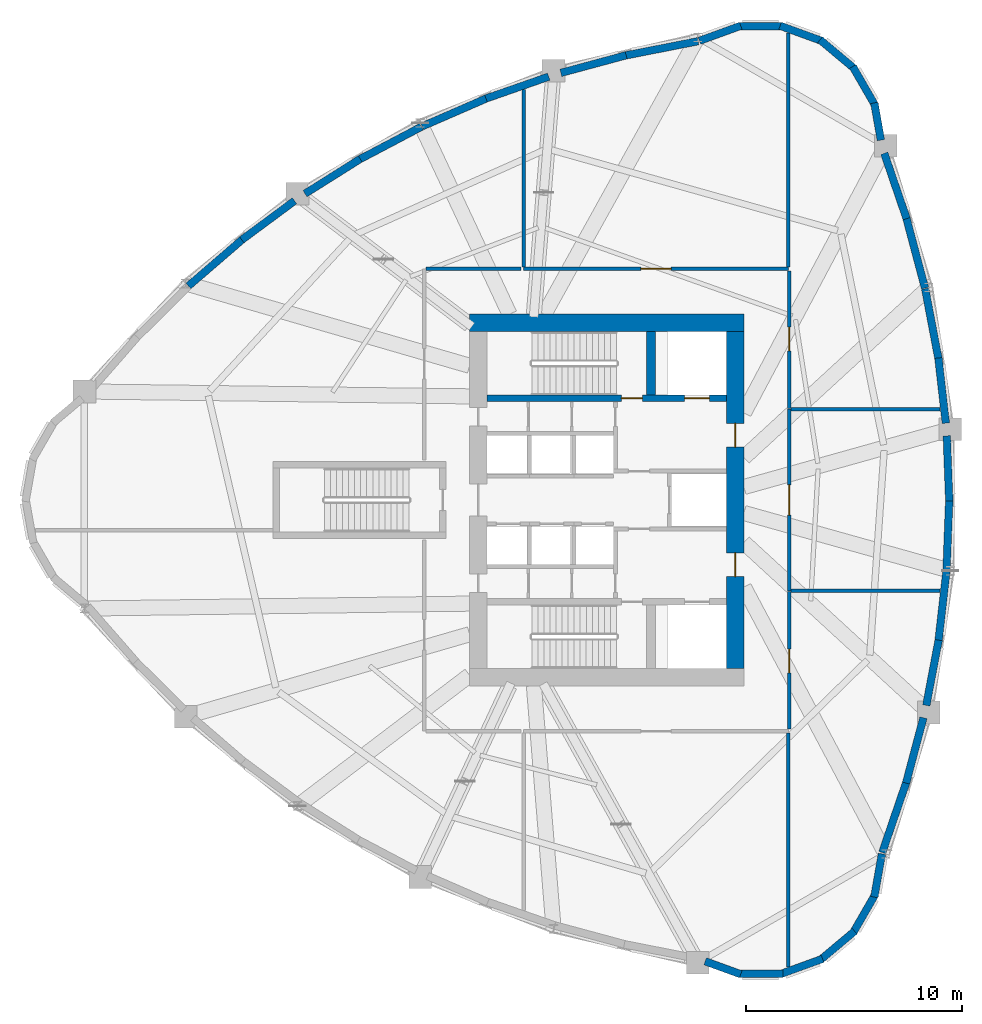
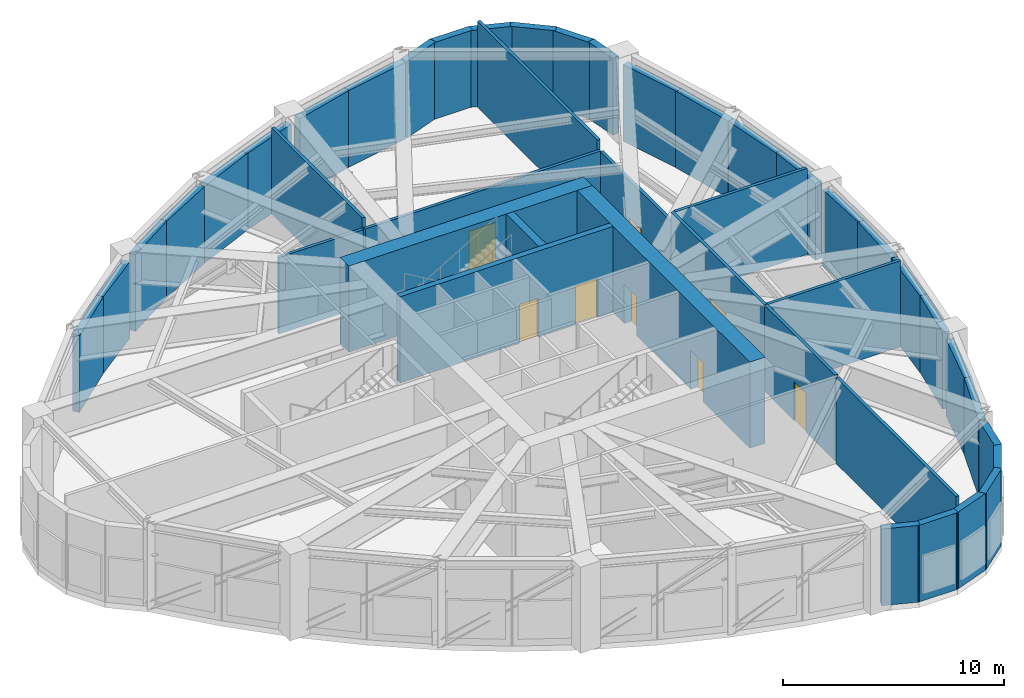
# One storey, part 5 of 9: 44 walls, 8 doors, 8 openings.
"""IFC4 building model written with IfcOpenShell, lengths in metres."""

from ifc_helpers import new_model, si_unit, direction, frame, frame_2d, origin, place, context, subcontext, project, spatial, rectangle, extrude, source, transform, mapped, material, layer, layer_set, type_object, element, fill, save


model = new_model("IFC4")

# Units and contexts
model_context = context("Model", 3, precision=1e-05, world=origin(), true_north=direction((0.0, 1.0)))
body_context = subcontext(model_context, "Body", "Model", "MODEL_VIEW")
ifc_project = project(units=[si_unit("LENGTHUNIT", "METRE"), si_unit("AREAUNIT", "SQUARE_METRE"), si_unit("VOLUMEUNIT", "CUBIC_METRE"), si_unit("PLANEANGLEUNIT", "RADIAN"), si_unit("MASSUNIT", "GRAM", prefix="KILO")], contexts=[model_context])

# Site, building, storey
site_placement = place(None, origin())
site = spatial("IfcSite", under=ifc_project, at=site_placement, CompositionType="ELEMENT")
building_placement = place(site_placement, origin())
building = spatial("IfcBuilding", under=site, at=building_placement, Name="Qafzar Sky-Pleat Residences", CompositionType="ELEMENT")
storey_placement = place(building_placement, frame((0.0, 0.0, 65.39990234375)))
storey = spatial("IfcBuildingStorey", under=building, at=storey_placement, Name="L19", CompositionType="ELEMENT", Elevation=65.39990234375)

# Wall, opening, door
ifc_material_1 = material(Name="Acoustic gypsum plasterboard partition", Category="gypsum")
ifc_layer_1 = layer(ifc_material_1, 0.159912109375)
ifc_layer_set_1 = layer_set([ifc_layer_1], Name="Acoustic gypsum plasterboard partition")
wall_type_1 = type_object("IfcWallType", Name="PART-COR-160", PredefinedType="PARTITIONING", material=ifc_layer_set_1)
wall_1_placement = place(storey_placement, frame((26.485107421875, 36.699951171875, 0.0), z_axis=(0.0, 0.0, 1.0), x_axis=(1.0, 0.0, 0.0)))
wall_1 = element("IfcWall", 1, at=wall_1_placement, inside=storey, type_object=wall_type_1, Name="L19 Partition Wall PART-L19-PW-001", PredefinedType="PARTITIONING", context=body_context, shape_type="SweptSolid", body=[
    extrude(rectangle(XDim=12.27978515625, YDim=0.159912109375, at=frame_2d((6.139892578125, 0.0))), origin(), (0.0, 0.0, 1.0), 4.218017578125),
])
opening_1_placement = place(wall_1_placement, frame((5.43994140625, 0.0, 0.0)))
opening_1 = element("IfcOpeningElement", 2, at=opening_1_placement, cuts=wall_1, Name="Opening ID-10", PredefinedType="OPENING", context=body_context, shape_type="SweptSolid", body=[
    extrude(rectangle(XDim=1.39990234375, YDim=2.14990234375, at=frame_2d((0.699951171875, 1.074951171875))), frame((0.0, 0.08984375, 0.0), z_axis=(0.0, -1.0, 0.0), x_axis=(1.0, 0.0, 0.0)), (0.0, 0.0, 1.0), 0.179931640625),
])
ifc_material_2 = material(Name="Timber-faced fire door", Category="wood")
door_type_1 = type_object("IfcDoorType", Name="DR-PLANT-1400", OperationType="DOUBLE_DOOR_SINGLE_SWING", PredefinedType="DOOR", material=ifc_material_2)
shared_shape_1 = source(origin(), body_context, "Body", "SweptSolid", [
    extrude(rectangle(XDim=1.39990234375, YDim=2.14990234375, at=frame_2d((0.699951171875, 1.074951171875))), frame((0.0, 0.02490234375, 0.0), z_axis=(0.0, -1.0, 0.0), x_axis=(1.0, 0.0, 0.0)), (0.0, 0.0, 1.0), 0.050048828125),
])
door_1_placement = place(opening_1_placement, origin())
door_1 = element("IfcDoor", 3, at=door_1_placement, inside=storey, type_object=door_type_1, Name="L19 Domestic Booster and Fire Pump Plant Room Door", OperationType="DOUBLE_DOOR_SINGLE_SWING", OverallHeight=2.14990234375, OverallWidth=1.39990234375, PredefinedType="DOOR", context=body_context, shape_type="MappedRepresentation", body=[
    mapped(shared_shape_1, transform((0.0, 0.0, 0.0), x_axis=(1.0, 0.0, 0.0), y_axis=(0.0, 1.0, 0.0), z_axis=(0.0, 0.0, 1.0), scale=1.0)),
])
fill(opening_1, door_1)

wall_2_placement = place(storey_placement, frame((38.800048828125, 30.215087890625, 0.0), z_axis=(0.0, 0.0, 1.0), x_axis=(0.0, -1.0, 0.0)))
wall_2 = element("IfcWall", 4, at=wall_2_placement, inside=storey, type_object=wall_type_1, Name="L19 Partition Wall PART-L19-PW-005", PredefinedType="PARTITIONING", context=body_context, shape_type="SweptSolid", body=[
    extrude(rectangle(XDim=8.43017578125, YDim=0.159912109375, at=frame_2d((4.215087890625, 0.0))), origin(), (0.0, 0.0, 1.0), 4.75),
])
opening_2_placement = place(wall_2_placement, frame((3.514892578125, 0.0, 0.0)))
opening_2 = element("IfcOpeningElement", 5, at=opening_2_placement, cuts=wall_2, Name="Opening ID-10", PredefinedType="OPENING", context=body_context, shape_type="SweptSolid", body=[
    extrude(rectangle(XDim=1.39990234375, YDim=2.14990234375, at=frame_2d((0.699951171875, 1.074951171875))), frame((0.0, 0.08984375, 0.0), z_axis=(0.0, -1.0, 0.0), x_axis=(1.0, 0.0, 0.0)), (0.0, 0.0, 1.0), 0.179931640625),
])
door_2_placement = place(opening_2_placement, origin())
door_2 = element("IfcDoor", 6, at=door_2_placement, inside=storey, type_object=door_type_1, Name="L19 Pressurization and Smoke Extract Plant Door", OperationType="DOUBLE_DOOR_SINGLE_SWING", OverallHeight=2.14990234375, OverallWidth=1.39990234375, PredefinedType="DOOR", context=body_context, shape_type="MappedRepresentation", body=[
    mapped(shared_shape_1, transform((0.0, 0.0, 0.0), x_axis=(1.0, 0.0, 0.0), y_axis=(0.0, 1.0, 0.0), z_axis=(0.0, 0.0, 1.0), scale=1.0)),
])
fill(opening_2, door_2)

wall_3_placement = place(storey_placement, frame((38.800048828125, 36.596923828125, 0.0), z_axis=(0.0, 0.0, 1.0), x_axis=(0.0, -1.0, 0.0)))
wall_3 = element("IfcWall", 7, at=wall_3_placement, inside=storey, type_object=wall_type_1, Name="L19 Partition Wall PART-L19-PW-006", PredefinedType="PARTITIONING", context=body_context, shape_type="SweptSolid", body=[
    extrude(rectangle(XDim=6.366943359375, YDim=0.159912109375, at=frame_2d((3.18359375, 0.0))), origin(), (0.0, 0.0, 1.0), 4.218017578125),
])
opening_3_placement = place(wall_3_placement, frame((2.596923828125, 0.0, 0.0)))
opening_3 = element("IfcOpeningElement", 8, at=opening_3_placement, cuts=wall_3, Name="Opening ID-02", PredefinedType="OPENING", context=body_context, shape_type="SweptSolid", body=[
    extrude(rectangle(XDim=1.10009765625, YDim=2.14990234375, at=frame_2d((0.550048828125, 1.074951171875))), frame((0.0, 0.08984375, 0.0), z_axis=(0.0, -1.0, 0.0), x_axis=(1.0, 0.0, 0.0)), (0.0, 0.0, 1.0), 0.179931640625),
])
door_type_2 = type_object("IfcDoorType", Name="DR-FFL-1100", OperationType="NOTDEFINED", PredefinedType="DOOR", material=ifc_material_2)
shared_shape_2 = source(origin(), body_context, "Body", "SweptSolid", [
    extrude(rectangle(XDim=1.10009765625, YDim=2.14990234375, at=frame_2d((0.550048828125, 1.074951171875))), frame((0.0, 0.02490234375, 0.0), z_axis=(0.0, -1.0, 0.0), x_axis=(1.0, 0.0, 0.0)), (0.0, 0.0, 1.0), 0.050048828125),
])
door_3_placement = place(opening_3_placement, origin())
door_3 = element("IfcDoor", 9, at=door_3_placement, inside=storey, type_object=door_type_2, Name="L19 Refuge Area North Door", OperationType="SINGLE_SWING_LEFT", OverallHeight=2.14990234375, OverallWidth=1.10009765625, PredefinedType="DOOR", context=body_context, shape_type="MappedRepresentation", body=[
    mapped(shared_shape_2, transform((0.0, 0.0, 0.0), x_axis=(1.0, 0.0, 0.0), y_axis=(0.0, 1.0, 0.0), z_axis=(0.0, 0.0, 1.0), scale=1.0)),
])
fill(opening_3, door_3)

wall_4_placement = place(storey_placement, frame((38.800048828125, 21.77001953125, 0.0), z_axis=(0.0, 0.0, 1.0), x_axis=(0.0, -1.0, 0.0)))
wall_4 = element("IfcWall", 10, at=wall_4_placement, inside=storey, type_object=wall_type_1, Name="L19 Partition Wall PART-L19-PW-007", PredefinedType="PARTITIONING", context=body_context, shape_type="SweptSolid", body=[
    extrude(rectangle(XDim=6.366943359375, YDim=0.159912109375, at=frame_2d((3.18359375, 0.0))), origin(), (0.0, 0.0, 1.0), 4.75),
])
opening_4_placement = place(wall_4_placement, frame((2.669921875, 0.0, 0.0)))
opening_4 = element("IfcOpeningElement", 11, at=opening_4_placement, cuts=wall_4, Name="Opening ID-02", PredefinedType="OPENING", context=body_context, shape_type="SweptSolid", body=[
    extrude(rectangle(XDim=1.10009765625, YDim=2.14990234375, at=frame_2d((0.550048828125, 1.074951171875))), frame((0.0, 0.08984375, 0.0), z_axis=(0.0, -1.0, 0.0), x_axis=(1.0, 0.0, 0.0)), (0.0, 0.0, 1.0), 0.179931640625),
])
door_4_placement = place(opening_4_placement, origin())
door_4 = element("IfcDoor", 12, at=door_4_placement, inside=storey, type_object=door_type_2, Name="L19 Refuge Area South Door", OperationType="SINGLE_SWING_RIGHT", OverallHeight=2.14990234375, OverallWidth=1.10009765625, PredefinedType="DOOR", context=body_context, shape_type="MappedRepresentation", body=[
    mapped(shared_shape_2, transform((0.0, 0.0, 0.0), x_axis=(1.0, 0.0, 0.0), y_axis=(0.0, 1.0, 0.0), z_axis=(0.0, 0.0, 1.0), scale=1.0)),
])
fill(opening_4, door_4)

# Walls
for number, where, z_axis, x_axis, name in (
    (13, (38.75, 4.385009765625, 0.0), (0.0, 0.0, 1.0), (0.0, 1.0, 0.0), "L19 Partition Wall PART-L19-PW-009"),
    (14, (38.75, 36.7880859375, 0.0), (0.0, 0.0, 1.0), (0.0, 1.0, 0.0), "L19 Partition Wall PART-L19-PW-010"),
):
    element("IfcWall", number, at=place(storey_placement, frame(where, z_axis=z_axis, x_axis=x_axis)), inside=storey, type_object=wall_type_1, Name=name, PredefinedType="PARTITIONING", context=body_context, shape_type="SweptSolid", body=[
        extrude(rectangle(XDim=10.826904296875, YDim=0.159912109375, at=frame_2d((5.41357421875, 0.0))), origin(), (0.0, 0.0, 1.0), 4.75),
    ])
wall_5_placement = place(storey_placement, frame((26.5, 36.7880859375, 0.0), z_axis=(0.0, 0.0, 1.0), x_axis=(0.0, 1.0, 0.0)))
element("IfcWall", 15, at=wall_5_placement, inside=storey, type_object=wall_type_1, Name="L19 Partition Wall PART-L19-PW-012", PredefinedType="PARTITIONING", context=body_context, shape_type="SweptSolid", body=[
    extrude(rectangle(XDim=8.205078125, YDim=0.159912109375, at=frame_2d((4.1025390625, 0.0))), origin(), (0.0, 0.0, 1.0), 4.75),
])
wall_6_placement = place(storey_placement, frame((38.887939453125, 21.800048828125, 0.0), z_axis=(0.0, 0.0, 1.0), x_axis=(1.0, 0.0, 0.0)))
element("IfcWall", 16, at=wall_6_placement, inside=storey, type_object=wall_type_1, Name="L19 Partition Wall PART-L19-PW-013", PredefinedType="PARTITIONING", context=body_context, shape_type="SweptSolid", body=[
    extrude(rectangle(XDim=6.8896484375, YDim=0.159912109375, at=frame_2d((3.44482421875, 0.0))), origin(), (0.0, 0.0, 1.0), 4.75),
])
wall_7_placement = place(storey_placement, frame((38.887939453125, 30.199951171875, 0.0), z_axis=(0.0, 0.0, 1.0), x_axis=(1.0, 0.0, 0.0)))
element("IfcWall", 17, at=wall_7_placement, inside=storey, type_object=wall_type_1, Name="L19 Partition Wall PART-L19-PW-014", PredefinedType="PARTITIONING", context=body_context, shape_type="SweptSolid", body=[
    extrude(rectangle(XDim=6.889404296875, YDim=0.159912109375, at=frame_2d((3.44482421875, 0.0))), origin(), (0.0, 0.0, 1.0), 4.75),
])
wall_8_placement = place(storey_placement, frame((21.988037109375, 36.699951171875, 0.0), z_axis=(0.0, 0.0, 1.0), x_axis=(1.0, 0.0, 0.0)))
element("IfcWall", 18, at=wall_8_placement, inside=storey, type_object=wall_type_1, Name="L19 Partition Wall PART-L19-PW-015", PredefinedType="PARTITIONING", context=body_context, shape_type="SweptSolid", body=[
    extrude(rectangle(XDim=4.39404296875, YDim=0.159912109375, at=frame_2d((2.197021484375, 0.0))), origin(), (0.0, 0.0, 1.0), 4.218017578125),
])
ifc_material_3 = material(Name="Precast concrete C40/50 with honed Riyadh limestone", Category="concrete")
ifc_layer_2 = layer(ifc_material_3, 0.35009765625)
ifc_layer_set_2 = layer_set([ifc_layer_2], Name="Precast concrete C40/50 with honed Riyadh limestone")
wall_type_2 = type_object("IfcWallType", Name="WALL-EXT-350", PredefinedType="SOLIDWALL", material=ifc_layer_set_2)
wall_9_placement = place(storey_placement, frame((34.904296875, 4.6494140625, 0.0), z_axis=(0.0, 0.0, 1.0), x_axis=(0.939675390388, -0.342067479745, 0.0)))
element("IfcWall", 19, at=wall_9_placement, inside=storey, type_object=wall_type_2, Name="L19 Limestone Facade Wall 17", PredefinedType="SOLIDWALL", context=body_context, shape_type="SweptSolid", body=[
    extrude(rectangle(XDim=1.752197265625, YDim=0.35009765625, at=frame_2d((0.8759765625, 0.0))), origin(), (0.0, 0.0, 1.0), 4.22998046875),
])
wall_10_placement = place(storey_placement, frame((36.417236328125, 4.073486328125, 0.0), z_axis=(0.0, 0.0, 1.0), x_axis=(1.0, 0.0, 0.0)))
element("IfcWall", 20, at=wall_10_placement, inside=storey, type_object=wall_type_2, Name="L19 Limestone Facade Wall 18", PredefinedType="SOLIDWALL", context=body_context, shape_type="SweptSolid", body=[
    extrude(rectangle(XDim=2.090576171875, YDim=0.35009765625, at=frame_2d((1.04541015625, 0.0))), origin(), (0.0, 0.0, 1.0), 4.22998046875),
])
for number, where, z_axis, x_axis, name in (
    (21, (38.3740234375, 4.050048828125, 0.0), (0.0, 0.0, 1.0), (0.939711556618, 0.341968113072, 0.0), "L19 Limestone Facade Wall 19"),
    (22, (40.220947265625, 4.697021484375, 0.0), (0.0, 0.0, 1.0), (0.766024572719, 0.642811289563, 0.0), "L19 Limestone Facade Wall 20"),
    (23, (41.735107421875, 5.93701171875, 0.0), (0.0, 0.0, 1.0), (0.49990781971, 0.866078617559, 0.0), "L19 Limestone Facade Wall 21"),
):
    element("IfcWall", number, at=place(storey_placement, frame(where, z_axis=z_axis, x_axis=x_axis)), inside=storey, type_object=wall_type_2, Name=name, PredefinedType="SOLIDWALL", context=body_context, shape_type="SweptSolid", body=[
        extrude(rectangle(XDim=2.09033203125, YDim=0.35009765625, at=frame_2d((1.045166015625, 0.0))), origin(), (0.0, 0.0, 1.0), 4.22998046875),
    ])
wall_11_placement = place(storey_placement, frame((42.73388671875, 7.619873046875, 0.0), z_axis=(0.0, 0.0, 1.0), x_axis=(0.173607131876, 0.984814989611, 0.0)))
element("IfcWall", 24, at=wall_11_placement, inside=storey, type_object=wall_type_2, Name="L19 Limestone Facade Wall 22", PredefinedType="SOLIDWALL", context=body_context, shape_type="SweptSolid", body=[
    extrude(rectangle(XDim=2.031982421875, YDim=0.35009765625, at=frame_2d((1.01611328125, 0.0))), origin(), (0.0, 0.0, 1.0), 4.22998046875),
])
wall_12_placement = place(storey_placement, frame((43.103515625, 9.68603515625, 0.0), z_axis=(0.0, 0.0, 1.0), x_axis=(0.323558843572, 0.946208050455, 0.0)))
element("IfcWall", 25, at=wall_12_placement, inside=storey, type_object=wall_type_2, Name="L19 Limestone Facade Wall 23", PredefinedType="SOLIDWALL", context=body_context, shape_type="SweptSolid", body=[
    extrude(rectangle(XDim=3.482177734375, YDim=0.35009765625, at=frame_2d((1.7412109375, 0.0))), origin(), (0.0, 0.0, 1.0), 4.22998046875),
])
wall_13_placement = place(storey_placement, frame((44.20458984375, 12.896728515625, 0.0), z_axis=(0.0, 0.0, 1.0), x_axis=(0.257099428233, 0.966384956424, 0.0)))
element("IfcWall", 26, at=wall_13_placement, inside=storey, type_object=wall_type_2, Name="L19 Limestone Facade Wall 24", PredefinedType="SOLIDWALL", context=body_context, shape_type="SweptSolid", body=[
    extrude(rectangle(XDim=3.1298828125, YDim=0.35009765625, at=frame_2d((1.56494140625, 0.0))), origin(), (0.0, 0.0, 1.0), 4.22998046875),
])
wall_14_placement = place(storey_placement, frame((45.1396484375, 16.49365234375, 0.0), z_axis=(0.0, 0.0, 1.0), x_axis=(0.186608529586, 0.982434352354, 0.0)))
element("IfcWall", 27, at=wall_14_placement, inside=storey, type_object=wall_type_2, Name="L19 Limestone Facade Wall 25", PredefinedType="SOLIDWALL", context=body_context, shape_type="SweptSolid", body=[
    extrude(rectangle(XDim=3.074462890625, YDim=0.35009765625, at=frame_2d((1.537109375, 0.0))), origin(), (0.0, 0.0, 1.0), 4.22998046875),
])
wall_15_placement = place(storey_placement, frame((45.7001953125, 19.42626953125, 0.0), z_axis=(0.0, 0.0, 1.0), x_axis=(0.113266370988, 0.993564657787, 0.0)))
element("IfcWall", 28, at=wall_15_placement, inside=storey, type_object=wall_type_2, Name="L19 Limestone Facade Wall 26", PredefinedType="SOLIDWALL", context=body_context, shape_type="SweptSolid", body=[
    extrude(rectangle(XDim=3.317138671875, YDim=0.35009765625, at=frame_2d((1.65869140625, 0.0))), origin(), (0.0, 0.0, 1.0), 4.22998046875),
])
wall_16_placement = place(storey_placement, frame((46.077880859375, 22.748779296875, 0.0), z_axis=(0.0, 0.0, 1.0), x_axis=(0.037972593677, 0.999278780986, 0.0)))
element("IfcWall", 29, at=wall_16_placement, inside=storey, type_object=wall_type_2, Name="L19 Limestone Facade Wall 27", PredefinedType="SOLIDWALL", context=body_context, shape_type="SweptSolid", body=[
    extrude(rectangle(XDim=3.29833984375, YDim=0.35009765625, at=frame_2d((1.649169921875, 0.0))), origin(), (0.0, 0.0, 1.0), 4.22998046875),
])
wall_17_placement = place(storey_placement, frame((46.203125, 25.955322265625, 0.0), z_axis=(0.0, 0.0, 1.0), x_axis=(-0.038016855762, 0.999277098045, 0.0)))
element("IfcWall", 30, at=wall_17_placement, inside=storey, type_object=wall_type_2, Name="L19 Limestone Facade Wall 28", PredefinedType="SOLIDWALL", context=body_context, shape_type="SweptSolid", body=[
    extrude(rectangle(XDim=3.018310546875, YDim=0.35009765625, at=frame_2d((1.50927734375, 0.0))), origin(), (0.0, 0.0, 1.0), 4.22998046875),
])
wall_18_placement = place(storey_placement, frame((46.044189453125, 29.55615234375, 0.0), z_axis=(0.0, 0.0, 1.0), x_axis=(-0.113263196818, 0.993565019637, 0.0)))
element("IfcWall", 31, at=wall_18_placement, inside=storey, type_object=wall_type_2, Name="L19 Limestone Facade Wall 29", PredefinedType="SOLIDWALL", context=body_context, shape_type="SweptSolid", body=[
    extrude(rectangle(XDim=3.037109375, YDim=0.35009765625, at=frame_2d((1.5185546875, 0.0))), origin(), (0.0, 0.0, 1.0), 4.22998046875),
])
wall_19_placement = place(storey_placement, frame((45.71337890625, 32.48583984375, 0.0), z_axis=(0.0, 0.0, 1.0), x_axis=(-0.186603748992, 0.982435260392, 0.0)))
element("IfcWall", 32, at=wall_19_placement, inside=storey, type_object=wall_type_2, Name="L19 Limestone Facade Wall 30", PredefinedType="SOLIDWALL", context=body_context, shape_type="SweptSolid", body=[
    extrude(rectangle(XDim=3.3544921875, YDim=0.35009765625, at=frame_2d((1.67724609375, 0.0))), origin(), (0.0, 0.0, 1.0), 4.22998046875),
])
wall_20_placement = place(storey_placement, frame((45.081298828125, 35.80810546875, 0.0), z_axis=(0.0, 0.0, 1.0), x_axis=(-0.257114470429, 0.966380954436, 0.0)))
element("IfcWall", 33, at=wall_20_placement, inside=storey, type_object=wall_type_2, Name="L19 Limestone Facade Wall 31", PredefinedType="SOLIDWALL", context=body_context, shape_type="SweptSolid", body=[
    extrude(rectangle(XDim=3.409912109375, YDim=0.35009765625, at=frame_2d((1.705078125, 0.0))), origin(), (0.0, 0.0, 1.0), 4.22998046875),
])
wall_21_placement = place(storey_placement, frame((44.230224609375, 39.01904296875, 0.0), z_axis=(0.0, 0.0, 1.0), x_axis=(-0.323560153501, 0.94620760252, 0.0)))
element("IfcWall", 34, at=wall_21_placement, inside=storey, type_object=wall_type_2, Name="L19 Limestone Facade Wall 32", PredefinedType="SOLIDWALL", context=body_context, shape_type="SweptSolid", body=[
    extrude(rectangle(XDim=3.202392578125, YDim=0.35009765625, at=frame_2d((1.60107421875, 0.0))), origin(), (0.0, 0.0, 1.0), 4.22998046875),
])
wall_22_placement = place(storey_placement, frame((43.0380859375, 42.654541015625, 0.0), z_axis=(0.0, 0.0, 1.0), x_axis=(-0.173610462023, 0.984814402553, 0.0)))
element("IfcWall", 35, at=wall_22_placement, inside=storey, type_object=wall_type_2, Name="L19 Limestone Facade Wall 33", PredefinedType="SOLIDWALL", context=body_context, shape_type="SweptSolid", body=[
    extrude(rectangle(XDim=1.752197265625, YDim=0.35009765625, at=frame_2d((0.8759765625, 0.0))), origin(), (0.0, 0.0, 1.0), 4.22998046875),
])
for number, where, z_axis, x_axis, name in (
    (36, (42.780029296875, 44.252685546875, 0.0), (0.0, 0.0, 1.0), (-0.49990781971, 0.866078617559, 0.0), "L19 Limestone Facade Wall 34"),
    (37, (41.822265625, 45.959228515625, 0.0), (0.0, 0.0, 1.0), (-0.766024572719, 0.642811289563, 0.0), "L19 Limestone Facade Wall 35"),
    (38, (40.33837890625, 47.235107421875, 0.0), (0.0, 0.0, 1.0), (-0.939711556618, 0.341968113072, 0.0), "L19 Limestone Facade Wall 36"),
):
    element("IfcWall", number, at=place(storey_placement, frame(where, z_axis=z_axis, x_axis=x_axis)), inside=storey, type_object=wall_type_2, Name=name, PredefinedType="SOLIDWALL", context=body_context, shape_type="SweptSolid", body=[
        extrude(rectangle(XDim=2.09033203125, YDim=0.35009765625, at=frame_2d((1.045166015625, 0.0))), origin(), (0.0, 0.0, 1.0), 4.22998046875),
    ])
wall_23_placement = place(storey_placement, frame((38.5078125, 47.926513671875, 0.0), z_axis=(0.0, 0.0, 1.0), x_axis=(-1.0, 0.0, 0.0)))
element("IfcWall", 39, at=wall_23_placement, inside=storey, type_object=wall_type_2, Name="L19 Limestone Facade Wall 37", PredefinedType="SOLIDWALL", context=body_context, shape_type="SweptSolid", body=[
    extrude(rectangle(XDim=2.090576171875, YDim=0.35009765625, at=frame_2d((1.04541015625, 0.0))), origin(), (0.0, 0.0, 1.0), 4.22998046875),
])
wall_24_placement = place(storey_placement, frame((36.55078125, 47.949951171875, 0.0), z_axis=(0.0, 0.0, 1.0), x_axis=(-0.939691662178, -0.342022777067, 0.0)))
element("IfcWall", 40, at=wall_24_placement, inside=storey, type_object=wall_type_2, Name="L19 Limestone Facade Wall 38", PredefinedType="SOLIDWALL", context=body_context, shape_type="SweptSolid", body=[
    extrude(rectangle(XDim=2.0322265625, YDim=0.35009765625, at=frame_2d((1.01611328125, 0.0))), origin(), (0.0, 0.0, 1.0), 4.22998046875),
])
wall_25_placement = place(storey_placement, frame((34.57666015625, 47.23681640625, 0.0), z_axis=(0.0, 0.0, 1.0), x_axis=(-0.981238400755, -0.192798342532, 0.0)))
element("IfcWall", 41, at=wall_25_placement, inside=storey, type_object=wall_type_2, Name="L19 Limestone Facade Wall 39", PredefinedType="SOLIDWALL", context=body_context, shape_type="SweptSolid", body=[
    extrude(rectangle(XDim=3.482421875, YDim=0.35009765625, at=frame_2d((1.7412109375, 0.0))), origin(), (0.0, 0.0, 1.0), 4.22998046875),
])
wall_26_placement = place(storey_placement, frame((31.24560546875, 46.585205078125, 0.0), z_axis=(0.0, 0.0, 1.0), x_axis=(-0.965469506164, -0.260516089076, 0.0)))
element("IfcWall", 42, at=wall_26_placement, inside=storey, type_object=wall_type_2, Name="L19 Limestone Facade Wall 40", PredefinedType="SOLIDWALL", context=body_context, shape_type="SweptSolid", body=[
    extrude(rectangle(XDim=3.130126953125, YDim=0.35009765625, at=frame_2d((1.56494140625, 0.0))), origin(), (0.0, 0.0, 1.0), 4.22998046875),
])
wall_27_placement = place(storey_placement, frame((27.662841796875, 45.596435546875, 0.0), z_axis=(0.0, 0.0, 1.0), x_axis=(-0.944134113087, -0.329561491236, 0.0)))
element("IfcWall", 43, at=wall_27_placement, inside=storey, type_object=wall_type_2, Name="L19 Limestone Facade Wall 41", PredefinedType="SOLIDWALL", context=body_context, shape_type="SweptSolid", body=[
    extrude(rectangle(XDim=3.07421875, YDim=0.35009765625, at=frame_2d((1.537109375, 0.0))), origin(), (0.0, 0.0, 1.0), 4.22998046875),
])
wall_28_placement = place(storey_placement, frame((24.843017578125, 44.615478515625, 0.0), z_axis=(0.0, 0.0, 1.0), x_axis=(-0.917119193404, -0.398613076918, 0.0)))
element("IfcWall", 44, at=wall_28_placement, inside=storey, type_object=wall_type_2, Name="L19 Limestone Facade Wall 42", PredefinedType="SOLIDWALL", context=body_context, shape_type="SweptSolid", body=[
    extrude(rectangle(XDim=3.317138671875, YDim=0.35009765625, at=frame_2d((1.65869140625, 0.0))), origin(), (0.0, 0.0, 1.0), 4.22998046875),
])
wall_29_placement = place(storey_placement, frame((21.77685546875, 43.281494140625, 0.0), z_axis=(0.0, 0.0, 1.0), x_axis=(-0.884381357857, -0.466765052113, 0.0)))
element("IfcWall", 45, at=wall_29_placement, inside=storey, type_object=wall_type_2, Name="L19 Limestone Facade Wall 43", PredefinedType="SOLIDWALL", context=body_context, shape_type="SweptSolid", body=[
    extrude(rectangle(XDim=3.29833984375, YDim=0.35009765625, at=frame_2d((1.649169921875, 0.0))), origin(), (0.0, 0.0, 1.0), 4.22998046875),
])
wall_30_placement = place(storey_placement, frame((18.93701171875, 41.78662109375, 0.0), z_axis=(0.0, 0.0, 1.0), x_axis=(-0.84639489148, -0.532555807101, 0.0)))
element("IfcWall", 46, at=wall_30_placement, inside=storey, type_object=wall_type_2, Name="L19 Limestone Facade Wall 44", PredefinedType="SOLIDWALL", context=body_context, shape_type="SweptSolid", body=[
    extrude(rectangle(XDim=3.018310546875, YDim=0.35009765625, at=frame_2d((1.50927734375, 0.0))), origin(), (0.0, 0.0, 1.0), 4.22998046875),
])
wall_31_placement = place(storey_placement, frame((15.898193359375, 39.8486328125, 0.0), z_axis=(0.0, 0.0, 1.0), x_axis=(-0.803775013519, -0.594933380844, 0.0)))
element("IfcWall", 47, at=wall_31_placement, inside=storey, type_object=wall_type_2, Name="L19 Limestone Facade Wall 45", PredefinedType="SOLIDWALL", context=body_context, shape_type="SweptSolid", body=[
    extrude(rectangle(XDim=3.037109375, YDim=0.35009765625, at=frame_2d((1.5185546875, 0.0))), origin(), (0.0, 0.0, 1.0), 4.22998046875),
])
wall_32_placement = place(storey_placement, frame((13.5263671875, 38.097412109375, 0.0), z_axis=(0.0, 0.0, 1.0), x_axis=(-0.757460843483, -0.652880594435, 0.0)))
element("IfcWall", 48, at=wall_32_placement, inside=storey, type_object=wall_type_2, Name="L19 Limestone Facade Wall 46", PredefinedType="SOLIDWALL", context=body_context, shape_type="SweptSolid", body=[
    extrude(rectangle(XDim=3.354736328125, YDim=0.35009765625, at=frame_2d((1.67724609375, 0.0))), origin(), (0.0, 0.0, 1.0), 4.22998046875),
])

# Wall, openings, doors
ifc_material_4 = material(Name="Concrete C60/75", Category="concrete")
ifc_layer_3 = layer(ifc_material_4, 0.300048828125)
ifc_layer_set_3 = layer_set([ifc_layer_3], Name="Concrete C60/75")
wall_type_3 = type_object("IfcWallType", Name="WALL-SHEAR-300", PredefinedType="SHEAR", material=ifc_layer_set_3)
wall_33_placement = place(storey_placement, frame((24.800048828125, 30.699951171875, 0.0), z_axis=(0.0, 0.0, 1.0), x_axis=(1.0, 0.0, 0.0)))
wall_33 = element("IfcWall", 49, at=wall_33_placement, inside=storey, type_object=wall_type_3, Name="L19 Stair ST2 and FF2 Shaft South Wall", PredefinedType="SHEAR", context=body_context, shape_type="SweptSolid", body=[
    extrude(rectangle(XDim=11.099853515625, YDim=0.300048828125, at=frame_2d((5.5498046875, 0.0))), origin(), (0.0, 0.0, 1.0), 4.75),
])
opening_5_placement = place(wall_33_placement, frame((6.219970703125, 0.0, 0.0)))
opening_5 = element("IfcOpeningElement", 50, at=opening_5_placement, cuts=wall_33, Name="Opening ID-01", PredefinedType="OPENING", context=body_context, shape_type="SweptSolid", body=[
    extrude(rectangle(XDim=0.97998046875, YDim=2.14990234375, at=frame_2d((0.489990234375, 1.074951171875))), frame((0.0, 0.16015625, 0.0), z_axis=(0.0, -1.0, 0.0), x_axis=(1.0, 0.0, 0.0)), (0.0, 0.0, 1.0), 0.320068359375),
])
opening_6_placement = place(wall_33_placement, frame((9.14990234375, 0.0, 0.0)))
opening_6 = element("IfcOpeningElement", 51, at=opening_6_placement, cuts=wall_33, Name="Opening LD-02", PredefinedType="OPENING", context=body_context, shape_type="SweptSolid", body=[
    extrude(rectangle(XDim=1.14990234375, YDim=2.14990234375, at=frame_2d((0.574951171875, 1.074951171875))), frame((0.0, 0.16015625, 0.0), z_axis=(0.0, -1.0, 0.0), x_axis=(1.0, 0.0, 0.0)), (0.0, 0.0, 1.0), 0.320068359375),
])
door_type_3 = type_object("IfcDoorType", Name="DR-STAIR-980", OperationType="NOTDEFINED", PredefinedType="DOOR", material=ifc_material_2)
shared_shape_3 = source(origin(), body_context, "Body", "SweptSolid", [
    extrude(rectangle(XDim=0.97998046875, YDim=2.14990234375, at=frame_2d((0.489990234375, 1.074951171875))), frame((0.0, 0.02490234375, 0.0), z_axis=(0.0, -1.0, 0.0), x_axis=(1.0, 0.0, 0.0)), (0.0, 0.0, 1.0), 0.050048828125),
])
door_5_placement = place(opening_5_placement, origin())
door_5 = element("IfcDoor", 52, at=door_5_placement, inside=storey, type_object=door_type_3, Name="L19 Stair ST2 Fire Door", OperationType="SINGLE_SWING_LEFT", OverallHeight=2.14990234375, OverallWidth=0.97998046875, PredefinedType="DOOR", context=body_context, shape_type="MappedRepresentation", body=[
    mapped(shared_shape_3, transform((0.0, 0.0, 0.0), x_axis=(1.0, 0.0, 0.0), y_axis=(0.0, 1.0, 0.0), z_axis=(0.0, 0.0, 1.0), scale=1.0)),
])
fill(opening_5, door_5)
ifc_material_5 = material(Name="Stainless steel sliding landing door", Category="steel")
door_type_4 = type_object("IfcDoorType", Name="DR-LIFT-FF", OperationType="DOUBLE_DOOR_SLIDING", PredefinedType="DOOR", material=ifc_material_5)
shared_shape_4 = source(origin(), body_context, "Body", "SweptSolid", [
    extrude(rectangle(XDim=1.14990234375, YDim=2.14990234375, at=frame_2d((0.574951171875, 1.074951171875))), frame((0.0, 0.02490234375, 0.0), z_axis=(0.0, -1.0, 0.0), x_axis=(1.0, 0.0, 0.0)), (0.0, 0.0, 1.0), 0.050048828125),
])
door_6_placement = place(opening_6_placement, origin())
door_6 = element("IfcDoor", 53, at=door_6_placement, inside=storey, type_object=door_type_4, Name="L19 Firefighting Lift FF2 Landing Door", OperationType="DOUBLE_DOOR_SLIDING", OverallHeight=2.14990234375, OverallWidth=1.14990234375, PredefinedType="DOOR", context=body_context, shape_type="MappedRepresentation", body=[
    mapped(shared_shape_4, transform((0.0, 0.0, 0.0), x_axis=(1.0, 0.0, 0.0), y_axis=(0.0, 1.0, 0.0), z_axis=(0.0, 0.0, 1.0), scale=1.0)),
])
fill(opening_6, door_6)

# Walls
ifc_layer_4 = layer(ifc_material_4, 0.39990234375)
ifc_layer_set_4 = layer_set([ifc_layer_4], Name="Concrete C60/75")
wall_type_4 = type_object("IfcWallType", Name="WALL-SHEAR-400", PredefinedType="SHEAR", material=ifc_layer_set_4)
wall_34_placement = place(storey_placement, frame((32.39990234375, 30.85009765625, 0.0), z_axis=(0.0, 0.0, 1.0), x_axis=(0.0, 1.0, 0.0)))
element("IfcWall", 54, at=wall_34_placement, inside=storey, type_object=wall_type_4, Name="L19 Stair ST2 East Dividing Wall", PredefinedType="SHEAR", context=body_context, shape_type="SweptSolid", body=[
    extrude(rectangle(XDim=2.949951171875, YDim=0.39990234375, at=frame_2d((1.47509765625, 0.0))), origin(), (0.0, 0.0, 1.0), 4.75),
])
ifc_layer_5 = layer(ifc_material_4, 0.800048828125)
ifc_layer_set_5 = layer_set([ifc_layer_5], Name="Concrete C60/75")
wall_type_5 = type_object("IfcWallType", Name="WALL-SHEAR-800", PredefinedType="SHEAR", material=ifc_layer_set_5)
wall_35_placement = place(storey_placement, frame((36.699951171875, 34.199951171875, 0.0), z_axis=(0.0, 0.0, 1.0), x_axis=(-1.0, 0.0, 0.0)))
element("IfcWall", 55, at=wall_35_placement, inside=storey, type_object=wall_type_5, Name="L19 CORE wall N", PredefinedType="SHEAR", context=body_context, shape_type="SweptSolid", body=[
    extrude(rectangle(XDim=12.699951171875, YDim=0.800048828125, at=frame_2d((6.35009765625, 0.0))), origin(), (0.0, 0.0, 1.0), 4.75),
])

# Wall, openings, doors
wall_36_placement = place(storey_placement, frame((36.300048828125, 18.199951171875, 0.0), z_axis=(0.0, 0.0, 1.0), x_axis=(0.0, 1.0, 0.0)))
wall_36 = element("IfcWall", 56, at=wall_36_placement, inside=storey, type_object=wall_type_5, Name="L19 CORE wall E", PredefinedType="SHEAR", context=body_context, shape_type="SweptSolid", body=[
    extrude(rectangle(XDim=15.60009765625, YDim=0.800048828125, at=frame_2d((7.800048828125, 0.0))), origin(), (0.0, 0.0, 1.0), 4.75),
])
opening_7_placement = place(wall_36_placement, frame((4.25, 0.0, 0.0)))
opening_7 = element("IfcOpeningElement", 57, at=opening_7_placement, cuts=wall_36, Name="Opening ID-02", PredefinedType="OPENING", context=body_context, shape_type="SweptSolid", body=[
    extrude(rectangle(XDim=1.10009765625, YDim=2.14990234375, at=frame_2d((0.550048828125, 1.074951171875))), frame((0.0, 0.41015625, 0.0), z_axis=(0.0, -1.0, 0.0), x_axis=(1.0, 0.0, 0.0)), (0.0, 0.0, 1.0), 0.820068359375),
])
opening_8_placement = place(wall_36_placement, frame((10.25, 0.0, 0.0)))
opening_8 = element("IfcOpeningElement", 58, at=opening_8_placement, cuts=wall_36, Name="Opening ID-02", PredefinedType="OPENING", context=body_context, shape_type="SweptSolid", body=[
    extrude(rectangle(XDim=1.10009765625, YDim=2.14990234375, at=frame_2d((0.550048828125, 1.074951171875))), frame((0.0, 0.41015625, 0.0), z_axis=(0.0, -1.0, 0.0), x_axis=(1.0, 0.0, 0.0)), (0.0, 0.0, 1.0), 0.820068359375),
])
door_7_placement = place(opening_7_placement, origin())
door_7 = element("IfcDoor", 59, at=door_7_placement, inside=storey, type_object=door_type_2, Name="L19 Firefighting Lobby South Corridor Door", OperationType="SINGLE_SWING_LEFT", OverallHeight=2.14990234375, OverallWidth=1.10009765625, PredefinedType="DOOR", context=body_context, shape_type="MappedRepresentation", body=[
    mapped(shared_shape_2, transform((0.0, 0.0, 0.0), x_axis=(1.0, 0.0, 0.0), y_axis=(0.0, 1.0, 0.0), z_axis=(0.0, 0.0, 1.0), scale=1.0)),
])
fill(opening_7, door_7)
door_8_placement = place(opening_8_placement, origin())
door_8 = element("IfcDoor", 60, at=door_8_placement, inside=storey, type_object=door_type_2, Name="L19 Firefighting Lobby North Corridor Door", OperationType="SINGLE_SWING_RIGHT", OverallHeight=2.14990234375, OverallWidth=1.10009765625, PredefinedType="DOOR", context=body_context, shape_type="MappedRepresentation", body=[
    mapped(shared_shape_2, transform((0.0, 0.0, 0.0), x_axis=(1.0, 0.0, 0.0), y_axis=(0.0, 1.0, 0.0), z_axis=(0.0, 0.0, 1.0), scale=1.0)),
])
fill(opening_8, door_8)

save(model, "model.ifc")
